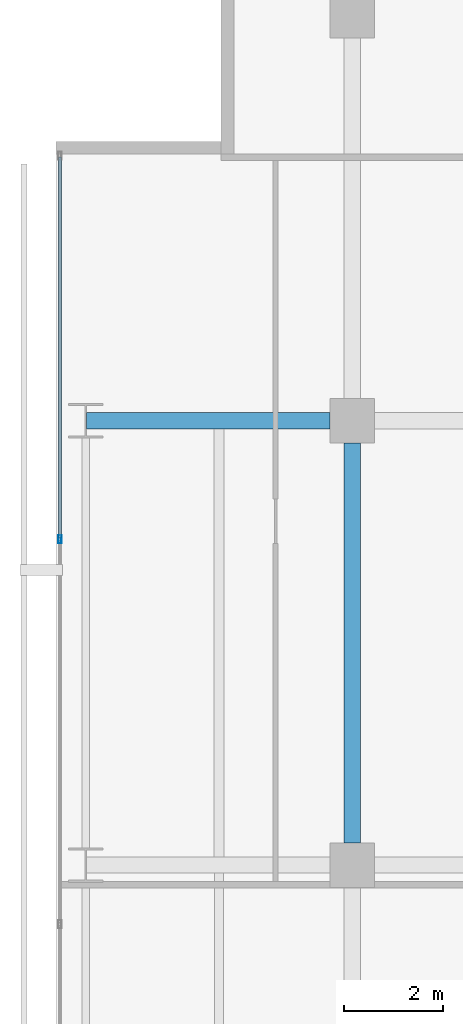
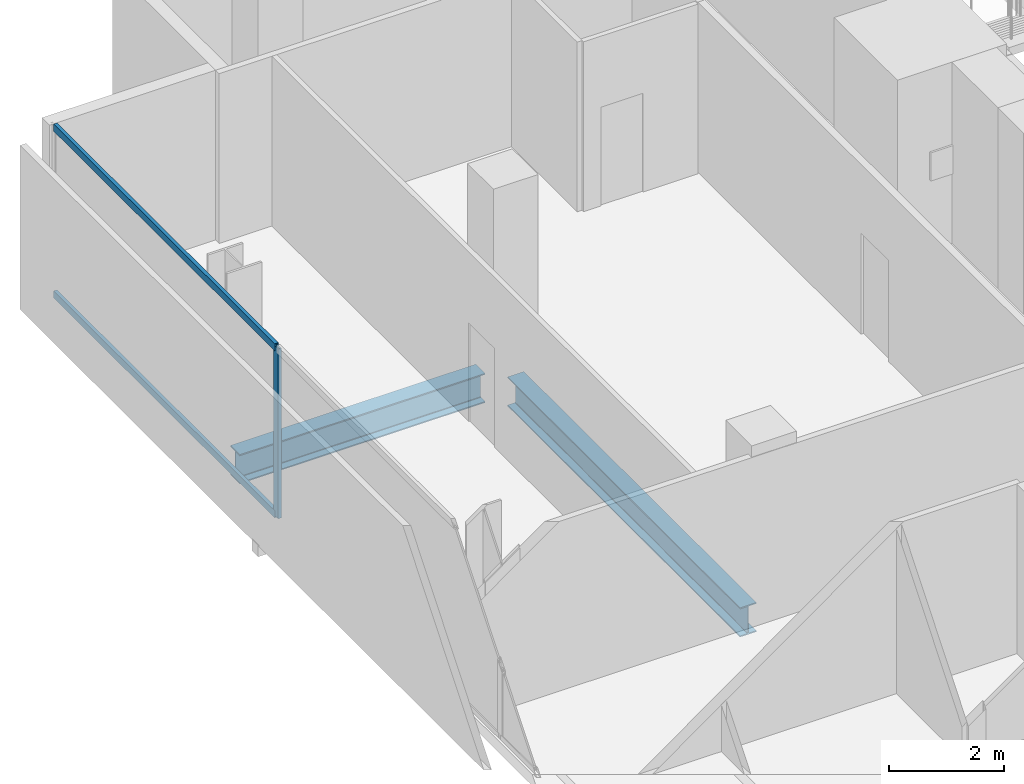
# One storey, part 23 of 40: 3 members, 2 beams, 1 element without a shape of its own.
"""IFC4 building model written with IfcOpenShell, lengths in metres."""

import ifcopenshell
import ifcopenshell.guid

model = None  # the IFC model being written
_history = None  # IfcOwnerHistory: only IFC2X3 demands one
_inside = {}  # id of a spatial element -> (the spatial element, [elements in it])
_under = {}  # id of a project, library or spatial element -> (it, [spatial elements below it])
_declared = {}  # id of a project -> (the project, [libraries it declares])
_typed = {}  # id of a type object -> (the type object, [elements of that type])
_made_of = {}  # id of a material, layer set ... -> (it, [elements and type objects made of it])


def new_model(schema):
    """Start an empty IFC model of exactly this schema.

    Asked for "IFC4X3", IfcOpenShell would pick the latest addendum, in which some entities
    have other attributes; the version numbers below select the first issue.
    IFC2X3 requires an IfcOwnerHistory on every rooted entity: one is made here for all.
    """
    global model, _history
    if schema == "IFC4X3":
        model = ifcopenshell.file(schema_version=(4, 3, 0, 0))
    else:
        model = ifcopenshell.file(schema=schema)
    _inside.clear()
    _under.clear()
    _declared.clear()
    _typed.clear()
    _made_of.clear()
    _history = None
    if model.schema == "IFC2X3":
        org = make("IfcOrganization", Name="unknown")
        user = make(
            "IfcPersonAndOrganization",
            ThePerson=make("IfcPerson", FamilyName="unknown"),
            TheOrganization=org,
        )
        app = make(
            "IfcApplication",
            ApplicationDeveloper=org,
            Version="unknown",
            ApplicationFullName="unknown",
            ApplicationIdentifier="unknown",
        )
        _history = make(
            "IfcOwnerHistory",
            OwningUser=user,
            OwningApplication=app,
            ChangeAction="ADDED",
            CreationDate=0,
        )
    return model


def make(cls, **values):
    """One entity of the class cls with the attributes given. An attribute that is None is left unset."""
    return model.create_entity(
        cls, **{name: value for name, value in values.items() if value is not None}
    )


def rooted(cls, **values):
    """An entity with a GlobalId (a new one), such as an element, a storey or a relation."""
    return make(cls, GlobalId=ifcopenshell.guid.new(), OwnerHistory=_history, **values)


def si_unit(unit_type, name, prefix=None):
    """IfcSIUnit, for example si_unit("LENGTHUNIT", "METRE", prefix="MILLI")."""
    return make("IfcSIUnit", UnitType=unit_type, Prefix=prefix, Name=name)


def assignment(units):
    """IfcUnitAssignment: the units of a project."""
    return None if units is None else make("IfcUnitAssignment", Units=units)


def point(xyz):
    """IfcCartesianPoint."""
    return None if xyz is None else make("IfcCartesianPoint", Coordinates=xyz)


def direction(xyz):
    """IfcDirection."""
    return None if xyz is None else make("IfcDirection", DirectionRatios=xyz)


def frame(location, z_axis=None, x_axis=None):
    """IfcAxis2Placement3D, a coordinate frame: its origin and axes. An axis left out is left unset."""
    return make(
        "IfcAxis2Placement3D",
        Location=point(location),
        Axis=direction(z_axis),
        RefDirection=direction(x_axis),
    )


def frame_2d(location, x_axis=None):
    """IfcAxis2Placement2D, a coordinate frame in the plane: its origin and x axis."""
    return make(
        "IfcAxis2Placement2D", Location=point(location), RefDirection=direction(x_axis)
    )


def origin():
    """The frame at (0, 0, 0) with its axes left unset."""
    return frame((0.0, 0.0, 0.0))


def origin_2d():
    """The frame at (0, 0) in the plane with its x axis left unset."""
    return frame_2d((0.0, 0.0))


def place(relative_to, where):
    """IfcLocalPlacement: puts the frame where relative to a parent placement (None: the world)."""
    return make(
        "IfcLocalPlacement", PlacementRelTo=relative_to, RelativePlacement=where
    )


def context(
    kind, dimensions, precision=None, world=None, true_north=None, identifier=None
):
    """IfcGeometricRepresentationContext, for example the 3D "Model" context."""
    return make(
        "IfcGeometricRepresentationContext",
        ContextIdentifier=identifier,
        ContextType=kind,
        CoordinateSpaceDimension=dimensions,
        Precision=precision,
        WorldCoordinateSystem=world,
        TrueNorth=true_north,
    )


def subcontext(parent, identifier, kind, view, scale=None):
    """IfcGeometricRepresentationSubContext, for example "Body" below "Model"."""
    return make(
        "IfcGeometricRepresentationSubContext",
        ContextIdentifier=identifier,
        ContextType=kind,
        ParentContext=parent,
        TargetScale=scale,
        TargetView=view,
    )


def project(units=None, contexts=None):
    """IfcProject with its units and contexts."""
    return rooted(
        "IfcProject",
        Name="project",
        RepresentationContexts=contexts,
        UnitsInContext=assignment(units),
    )


def spatial(cls, under=None, at=None, **own):
    """A site, building, storey or space (cls), placed at a placement, below another one or the project."""
    s = rooted(cls, ObjectPlacement=at, **own)
    if under is not None:
        _under.setdefault(under.id(), (under, []))[1].append(s)
    return s


def profile(cls, at=None, kind="AREA", **sizes):
    """A parametric profile (cls). Its sizes go by their IFC names, for example OverallWidth=200.0."""
    return make(cls, ProfileType=kind, Position=at, **sizes)


def hollow_rectangle(**sizes):
    """IfcRectangleHollowProfileDef."""
    return profile("IfcRectangleHollowProfileDef", **sizes)


def i_section(**sizes):
    """IfcIShapeProfileDef."""
    return profile("IfcIShapeProfileDef", **sizes)


def extrude(swept, where, along, depth):
    """IfcExtrudedAreaSolid: the profile swept, set in the frame where, extruded along a direction by depth."""
    return make(
        "IfcExtrudedAreaSolid",
        SweptArea=swept,
        Position=where,
        ExtrudedDirection=direction(along),
        Depth=depth,
    )


def shape(context_of_items, identifier, shape_type, items):
    """IfcShapeRepresentation: the items that make up one representation, for example the "Body"."""
    return make(
        "IfcShapeRepresentation",
        ContextOfItems=context_of_items,
        RepresentationIdentifier=identifier,
        RepresentationType=shape_type,
        Items=items,
    )


def material(Name=None, Category=None):
    """IfcMaterial."""
    return make("IfcMaterial", Name=Name, Category=Category)


def layer(
    of_material, thickness, ventilated=None, Name=None, Category=None, Priority=None
):
    """IfcMaterialLayer: one layer of a wall or slab, of a material (None: an air gap)."""
    return make(
        "IfcMaterialLayer",
        Material=of_material,
        LayerThickness=thickness,
        IsVentilated=ventilated,
        Name=Name,
        Category=Category,
        Priority=Priority,
    )


def layer_set(layers, Name=None):
    """IfcMaterialLayerSet."""
    return make("IfcMaterialLayerSet", MaterialLayers=layers, LayerSetName=Name)


def material_profile(
    of_material, cross_section, Name=None, Category=None, Priority=None
):
    """IfcMaterialProfile: a cross section and its material."""
    return make(
        "IfcMaterialProfile",
        Name=Name,
        Material=of_material,
        Profile=cross_section,
        Priority=Priority,
        Category=Category,
    )


def profile_set(profiles, Name=None, composite=None):
    """IfcMaterialProfileSet."""
    return make(
        "IfcMaterialProfileSet",
        Name=Name,
        MaterialProfiles=profiles,
        CompositeProfile=composite,
    )


def made_of(thing, what):
    """Note that an element or type object is made of a material, layer set ...; save() writes the relation."""
    if what is not None:
        _made_of.setdefault(what.id(), (what, []))[1].append(thing)
    return thing


def type_object(cls, material=None, **own):
    """A type object (cls), such as IfcWallType, which elements share."""
    return made_of(rooted(cls, **own), material)


def element(
    cls,
    number,
    at=None,
    inside=None,
    cuts=None,
    type_object=None,
    material=None,
    context=None,
    identifier="Body",
    shape_type=None,
    held_by="IfcProductDefinitionShape",
    body=None,
    shapes=None,
    **own,
):
    """One element of the class cls, such as IfcWall. Its Tag is "e" and its number.

    at: its placement. inside: the storey or other place that contains it. cuts: it is an
    opening in that element (IfcRelVoidsElement). A single representation is given by context,
    identifier, shape_type and body (its items); several are given by shapes. held_by: the class
    of the entity that holds the representations. save() writes the other relations.
    """
    e = rooted(cls, Tag="e%d" % number, ObjectPlacement=at, **own)
    if body is not None:
        shapes = [shape(context, identifier, shape_type, body)]
    if shapes is not None:
        e.Representation = make(held_by, Representations=shapes)
    if inside is not None:
        _inside.setdefault(inside.id(), (inside, []))[1].append(e)
    if cuts is not None:
        rooted(
            "IfcRelVoidsElement", RelatingBuildingElement=cuts, RelatedOpeningElement=e
        )
    if type_object is not None:
        _typed.setdefault(type_object.id(), (type_object, []))[1].append(e)
    return made_of(e, material)


def aggregate(whole, parts):
    """IfcRelAggregates: a whole, such as a stair, and the parts it consists of."""
    return rooted("IfcRelAggregates", RelatingObject=whole, RelatedObjects=parts)


def save(model, path):
    """Write the relations noted so far, then the file.

    IfcRelAggregates (storeys below a building ...), IfcRelContainedInSpatialStructure (elements
    in a storey), IfcRelDefinesByType, IfcRelAssociatesMaterial and IfcRelDeclares: one each for
    every whole, place, type object, material and project.
    """
    for whole, parts in _under.values():
        aggregate(whole, parts)
    for where, things in _inside.values():
        rooted(
            "IfcRelContainedInSpatialStructure",
            RelatedElements=things,
            RelatingStructure=where,
        )
    for kind, things in _typed.values():
        rooted("IfcRelDefinesByType", RelatedObjects=things, RelatingType=kind)
    for what, things in _made_of.values():
        rooted("IfcRelAssociatesMaterial", RelatedObjects=things, RelatingMaterial=what)
    for by, libraries in _declared.values():
        rooted("IfcRelDeclares", RelatingContext=by, RelatedDefinitions=libraries)
    model.write(path)


model = new_model("IFC4")

# Units and contexts
model_context = context("Model", 3, precision=1e-05, world=origin(), true_north=direction((0.0, 1.0)))
body_context = subcontext(model_context, "Body", "Model", "MODEL_VIEW")
ifc_project = project(units=[si_unit("LENGTHUNIT", "METRE"), si_unit("AREAUNIT", "SQUARE_METRE"), si_unit("VOLUMEUNIT", "CUBIC_METRE"), si_unit("PLANEANGLEUNIT", "RADIAN"), si_unit("MASSUNIT", "GRAM", prefix="KILO")], contexts=[model_context])

# Site, building, storey
site_placement = place(None, origin())
site = spatial("IfcSite", under=ifc_project, at=site_placement, CompositionType="ELEMENT")
building_placement = place(site_placement, origin())
building = spatial("IfcBuilding", under=site, at=building_placement, Name="Maruvema Waterfront Hotel and Observation Tower", CompositionType="ELEMENT")
storey_placement = place(building_placement, frame((0.0, 0.0, 73.14990234375)))
storey = spatial("IfcBuildingStorey", under=building, at=storey_placement, Name="L17", CompositionType="ELEMENT", Elevation=73.14990234375)

# Curtain wall, members
ifc_material_1 = material(Name="Anodised bronze aluminium and solar-control low-E IGU", Category="aluminium")
ifc_layer = layer(ifc_material_1, 0.159912109375, Name="Zone 1 Bronze Inner Thermal Curtain Wall System CW-02")
ifc_layer_set = layer_set([ifc_layer], Name="Anodised bronze aluminium and solar-control low-E IGU")
curtain_wall_type = type_object("IfcCurtainWallType", Name="Zone 1 Bronze Inner Thermal Curtain Wall System CW-02", PredefinedType="USERDEFINED", material=ifc_layer_set)
curtain_wall_placement = place(storey_placement, origin())
curtain_wall = element("IfcCurtainWall", 1, at=curtain_wall_placement, inside=storey, type_object=curtain_wall_type, Name="L17 Curtain Wall CW-L17-W", ObjectType="UNITISED CURTAIN WALL", PredefinedType="USERDEFINED")
ifc_material_2 = material(Name="Anodised architectural bronze aluminium", Category="aluminium")
ifc_material_profile_1 = material_profile(ifc_material_2, hollow_rectangle(XDim=0.070068359375, YDim=0.14990234375, WallThickness=0.00390625, at=origin_2d()), Name="ALU-T70x150")
ifc_profile_set_1 = profile_set([ifc_material_profile_1], Name="Anodised architectural bronze aluminium")
member_type_1 = type_object("IfcMemberType", Name="Curtain Wall Horizontal Transom ALU-T70x150", PredefinedType="USERDEFINED", material=ifc_profile_set_1)
member_1_placement = place(storey_placement, frame((10.8798828125, 50.340087890625, 0.030029296875), z_axis=(0.0, -1.0, 0.0), x_axis=(1.0, 0.0, 0.0)))
member_1 = element("IfcMember", 2, at=member_1_placement, type_object=member_type_1, Name="CW-02 transom 1.1", ObjectType="TRANSOM", PredefinedType="USERDEFINED", context=body_context, shape_type="SweptSolid", body=[
    extrude(hollow_rectangle(XDim=0.070068359375, YDim=0.14990234375, WallThickness=0.00390625, at=origin_2d()), origin(), (0.0, 0.0, 1.0), 7.710205078125),
])
member_2_placement = place(storey_placement, frame((10.8798828125, 50.340087890625, 3.580078125), z_axis=(0.0, -1.0, 0.0), x_axis=(1.0, 0.0, 0.0)))
member_2 = element("IfcMember", 3, at=member_2_placement, type_object=member_type_1, Name="CW-02 transom 1.2", ObjectType="TRANSOM", PredefinedType="USERDEFINED", context=body_context, shape_type="SweptSolid", body=[
    extrude(hollow_rectangle(XDim=0.070068359375, YDim=0.14990234375, WallThickness=0.00390625, at=origin_2d()), origin(), (0.0, 0.0, 1.0), 7.710205078125),
])
ifc_material_3 = material(Name="Anodised architectural bronze aluminium", Category="aluminium")
ifc_material_profile_2 = material_profile(ifc_material_3, hollow_rectangle(XDim=0.06494140625, YDim=0.1650390625, WallThickness=0.00390625, at=origin_2d()), Name="ALU-M65x165")
ifc_profile_set_2 = profile_set([ifc_material_profile_2], Name="Anodised architectural bronze aluminium")
member_type_2 = type_object("IfcMemberType", Name="Curtain Wall Primary Mullion ALU-M65x165", PredefinedType="MULLION", material=ifc_profile_set_2)
member_3_placement = place(storey_placement, frame((10.8798828125, 42.60009765625, 0.0), z_axis=(0.0, 0.0, 1.0), x_axis=(1.0, 0.0, 0.0)))
member_3 = element("IfcMember", 4, at=member_3_placement, type_object=member_type_2, Name="CW-02 mullion 2", PredefinedType="MULLION", context=body_context, shape_type="SweptSolid", body=[
    extrude(hollow_rectangle(XDim=0.06494140625, YDim=0.1650390625, WallThickness=0.00390625, at=origin_2d()), origin(), (0.0, 0.0, 1.0), 3.610107421875),
])
aggregate(curtain_wall, [member_3, member_1, member_2])

# Beams
ifc_material_4 = material(Name="Steel ASTM A572 Grade 50", Category="steel")
ifc_material_profile_3 = material_profile(ifc_material_4, i_section(OverallWidth=0.326904296875, OverallDepth=0.6220703125, WebThickness=0.015380859375, FlangeThickness=0.0244140625, FilletRadius=0.01806640625, at=origin_2d()), Name="W610x195.0")
ifc_profile_set_3 = profile_set([ifc_material_profile_3], Name="Steel ASTM A572 Grade 50")
beam_type = type_object("IfcBeamType", Name="Primary Floor Girder W610x195.0", PredefinedType="BEAM", material=ifc_profile_set_3)
beam_1_placement = place(storey_placement, frame((11.4140625, 45.0, -0.55078125), z_axis=(1.0, 0.0, 0.0), x_axis=(0.0, 1.0, 0.0)))
element("IfcBeam", 5, at=beam_1_placement, inside=storey, type_object=beam_type, Name="L17 Floor Girder EW-32", PredefinedType="BEAM", context=body_context, shape_type="SweptSolid", body=[
    extrude(i_section(OverallWidth=0.326904296875, OverallDepth=0.6220703125, WebThickness=0.015380859375, FlangeThickness=0.0244140625, FilletRadius=0.01806640625, at=origin_2d()), origin(), (0.0, 0.0, 1.0), 4.93603515625),
])
beam_2_placement = place(storey_placement, frame((16.800048828125, 36.449951171875, -0.55078125), z_axis=(0.0, 1.0, 0.0), x_axis=(-1.0, 0.0, 0.0)))
element("IfcBeam", 6, at=beam_2_placement, inside=storey, type_object=beam_type, Name="L17 Floor Girder NS-09", PredefinedType="BEAM", context=body_context, shape_type="SweptSolid", body=[
    extrude(i_section(OverallWidth=0.326904296875, OverallDepth=0.6220703125, WebThickness=0.015380859375, FlangeThickness=0.0244140625, FilletRadius=0.01806640625, at=origin_2d()), origin(), (0.0, 0.0, 1.0), 8.10009765625),
])

save(model, "model.ifc")
